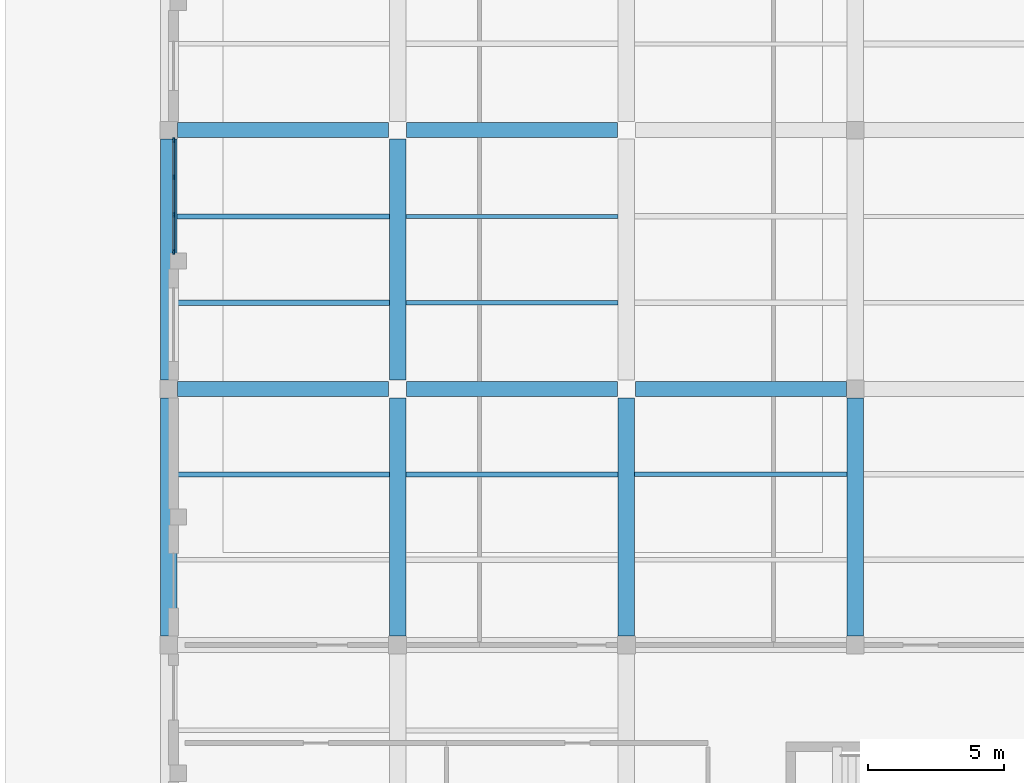
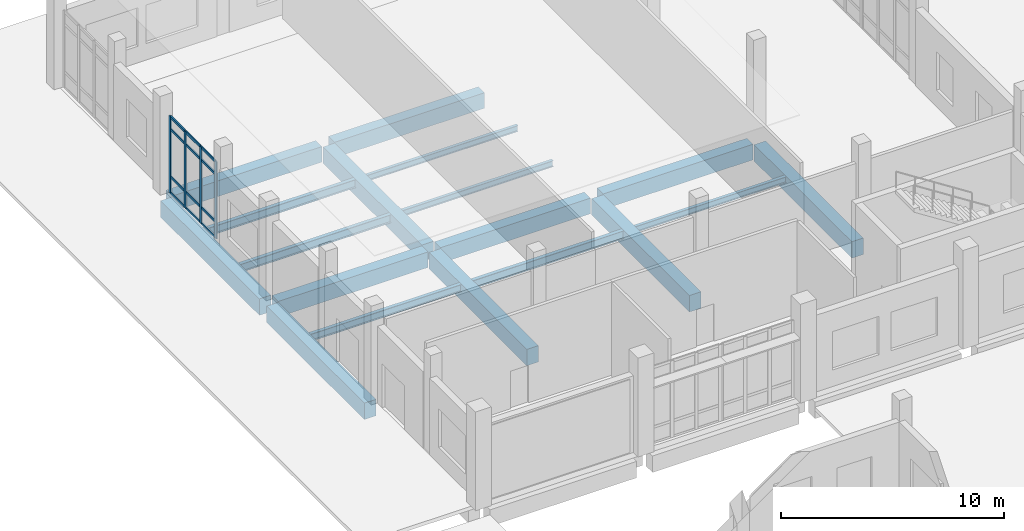
# One storey, part 22 of 79: 18 beams, 16 members, 1 element without a shape of its own.
"""IFC4 building model written with IfcOpenShell, lengths in metres."""

from ifc_helpers import new_model, si_unit, direction, frame, origin, origin_2d, place, context, subcontext, project, spatial, rectangle, i_section, extrude, material, layer, layer_set, material_profile, profile_set, type_object, element, aggregate, save


model = new_model("IFC4")

# Units and contexts
model_context = context("Model", 3, precision=1e-05, world=origin(), true_north=direction((0.0, 1.0)))
body_context = subcontext(model_context, "Body", "Model", "MODEL_VIEW")
ifc_project = project(units=[si_unit("LENGTHUNIT", "METRE"), si_unit("AREAUNIT", "SQUARE_METRE"), si_unit("VOLUMEUNIT", "CUBIC_METRE"), si_unit("PLANEANGLEUNIT", "RADIAN"), si_unit("MASSUNIT", "GRAM", prefix="KILO")], contexts=[model_context])

# Site, building, storey
site_placement = place(None, origin())
site = spatial("IfcSite", under=ifc_project, at=site_placement, CompositionType="ELEMENT")
building_placement = place(site_placement, origin())
building = spatial("IfcBuilding", under=site, at=building_placement, Name="Kelarvand Opera House", CompositionType="ELEMENT")
storey_placement = place(building_placement, origin())
storey = spatial("IfcBuildingStorey", under=building, at=storey_placement, Name="L00", CompositionType="ELEMENT", Elevation=0.0)

# Curtain wall, members
ifc_material_1 = material(Name="Thermally broken aluminium and low-E glazing", Category="aluminium")
ifc_layer = layer(ifc_material_1, 0.179931640625, Name="Thermally broken aluminium and low-E glazing", Category="aluminium")
ifc_layer_set = layer_set([ifc_layer], Name="Thermally broken aluminium and low-E glazing")
curtain_wall_type = type_object("IfcCurtainWallType", Name="Unitised Low-E Curtain Wall 4155x4200 Mod 1350 CWF-13", PredefinedType="USERDEFINED", material=ifc_layer_set)
curtain_wall_placement = place(storey_placement, origin())
curtain_wall = element("IfcCurtainWall", 1, at=curtain_wall_placement, inside=storey, type_object=curtain_wall_type, Name="V3 L00 Curtain Wall CWF-13 (43)", ObjectType="UNITISED CURTAIN WALL", PredefinedType="USERDEFINED")
ifc_material_2 = material(Name="Thermally broken anodised aluminium", Category="aluminium")
ifc_material_profile_1 = material_profile(ifc_material_2, rectangle(XDim=0.06494140625, YDim=0.179931640625, at=origin_2d()), Name="ALU MULLION 65x180", Category="aluminium")
ifc_profile_set_1 = profile_set([ifc_material_profile_1], Name="Thermally broken anodised aluminium")
member_type_1 = type_object("IfcMemberType", Name="Curtain Wall Mullion 65x180 Aluminium", PredefinedType="MULLION", material=ifc_profile_set_1)
member_1_placement = place(storey_placement, frame((9.179931640625, 111.04248046875, 0.0), z_axis=(0.0, 0.0, 1.0), x_axis=(-1.0, 0.0, 0.0)))
member_1 = element("IfcMember", 2, at=member_1_placement, type_object=member_type_1, Name="CWF-13 mullion 1", PredefinedType="MULLION", context=body_context, shape_type="SweptSolid", body=[
    extrude(rectangle(XDim=0.06494140625, YDim=0.179931640625, at=origin_2d()), origin(), (0.0, 0.0, 1.0), 4.199951171875),
])
member_2_placement = place(storey_placement, frame((9.179931640625, 112.39501953125, 0.0), z_axis=(0.0, 0.0, 1.0), x_axis=(-1.0, 0.0, 0.0)))
member_2 = element("IfcMember", 3, at=member_2_placement, type_object=member_type_1, Name="CWF-13 mullion 2", PredefinedType="MULLION", context=body_context, shape_type="SweptSolid", body=[
    extrude(rectangle(XDim=0.06494140625, YDim=0.179931640625, at=origin_2d()), origin(), (0.0, 0.0, 1.0), 4.199951171875),
])
member_3_placement = place(storey_placement, frame((9.179931640625, 113.780029296875, 0.0), z_axis=(0.0, 0.0, 1.0), x_axis=(-1.0, 0.0, 0.0)))
member_3 = element("IfcMember", 4, at=member_3_placement, type_object=member_type_1, Name="CWF-13 mullion 3", PredefinedType="MULLION", context=body_context, shape_type="SweptSolid", body=[
    extrude(rectangle(XDim=0.06494140625, YDim=0.179931640625, at=origin_2d()), origin(), (0.0, 0.0, 1.0), 4.199951171875),
])
member_4_placement = place(storey_placement, frame((9.179931640625, 115.132568359375, 0.0), z_axis=(0.0, 0.0, 1.0), x_axis=(-1.0, 0.0, 0.0)))
member_4 = element("IfcMember", 5, at=member_4_placement, type_object=member_type_1, Name="CWF-13 mullion 4", PredefinedType="MULLION", context=body_context, shape_type="SweptSolid", body=[
    extrude(rectangle(XDim=0.06494140625, YDim=0.179931640625, at=origin_2d()), origin(), (0.0, 0.0, 1.0), 4.199951171875),
])
ifc_material_profile_2 = material_profile(ifc_material_2, rectangle(XDim=0.06494140625, YDim=0.139892578125, at=origin_2d()), Name="ALU TRANSOM 65x140", Category="aluminium")
ifc_profile_set_2 = profile_set([ifc_material_profile_2], Name="Thermally broken anodised aluminium")
member_type_2 = type_object("IfcMemberType", Name="Curtain Wall Transom 65x140 Aluminium", PredefinedType="USERDEFINED", material=ifc_profile_set_2)
member_5_placement = place(storey_placement, frame((9.179931640625, 111.074951171875, 0.032470703125), z_axis=(0.0, 1.0, 0.0), x_axis=(-1.0, 0.0, 0.0)))
member_5 = element("IfcMember", 6, at=member_5_placement, type_object=member_type_2, Name="CWF-13 transom 1.1", ObjectType="TRANSOM", PredefinedType="USERDEFINED", context=body_context, shape_type="SweptSolid", body=[
    extrude(rectangle(XDim=0.06494140625, YDim=0.139892578125, at=origin_2d()), origin(), (0.0, 0.0, 1.0), 1.28759765625),
])
member_6_placement = place(storey_placement, frame((9.179931640625, 111.074951171875, 0.89990234375), z_axis=(0.0, 1.0, 0.0), x_axis=(-1.0, 0.0, 0.0)))
member_6 = element("IfcMember", 7, at=member_6_placement, type_object=member_type_2, Name="CWF-13 transom 1.2", ObjectType="TRANSOM", PredefinedType="USERDEFINED", context=body_context, shape_type="SweptSolid", body=[
    extrude(rectangle(XDim=0.06494140625, YDim=0.139892578125, at=origin_2d()), origin(), (0.0, 0.0, 1.0), 1.28759765625),
])
member_7_placement = place(storey_placement, frame((9.179931640625, 111.074951171875, 3.5), z_axis=(0.0, 1.0, 0.0), x_axis=(-1.0, 0.0, 0.0)))
member_7 = element("IfcMember", 8, at=member_7_placement, type_object=member_type_2, Name="CWF-13 transom 1.3", ObjectType="TRANSOM", PredefinedType="USERDEFINED", context=body_context, shape_type="SweptSolid", body=[
    extrude(rectangle(XDim=0.06494140625, YDim=0.139892578125, at=origin_2d()), origin(), (0.0, 0.0, 1.0), 1.28759765625),
])
member_8_placement = place(storey_placement, frame((9.179931640625, 111.074951171875, 4.16748046875), z_axis=(0.0, 1.0, 0.0), x_axis=(-1.0, 0.0, 0.0)))
member_8 = element("IfcMember", 9, at=member_8_placement, type_object=member_type_2, Name="CWF-13 transom 1.4", ObjectType="TRANSOM", PredefinedType="USERDEFINED", context=body_context, shape_type="SweptSolid", body=[
    extrude(rectangle(XDim=0.06494140625, YDim=0.139892578125, at=origin_2d()), origin(), (0.0, 0.0, 1.0), 1.28759765625),
])
member_9_placement = place(storey_placement, frame((9.179931640625, 112.427490234375, 0.032470703125), z_axis=(0.0, 1.0, 0.0), x_axis=(-1.0, 0.0, 0.0)))
member_9 = element("IfcMember", 10, at=member_9_placement, type_object=member_type_2, Name="CWF-13 transom 2.1", ObjectType="TRANSOM", PredefinedType="USERDEFINED", context=body_context, shape_type="SweptSolid", body=[
    extrude(rectangle(XDim=0.06494140625, YDim=0.139892578125, at=origin_2d()), origin(), (0.0, 0.0, 1.0), 1.320068359375),
])
member_10_placement = place(storey_placement, frame((9.179931640625, 112.427490234375, 0.89990234375), z_axis=(0.0, 1.0, 0.0), x_axis=(-1.0, 0.0, 0.0)))
member_10 = element("IfcMember", 11, at=member_10_placement, type_object=member_type_2, Name="CWF-13 transom 2.2", ObjectType="TRANSOM", PredefinedType="USERDEFINED", context=body_context, shape_type="SweptSolid", body=[
    extrude(rectangle(XDim=0.06494140625, YDim=0.139892578125, at=origin_2d()), origin(), (0.0, 0.0, 1.0), 1.320068359375),
])
member_11_placement = place(storey_placement, frame((9.179931640625, 112.427490234375, 3.5), z_axis=(0.0, 1.0, 0.0), x_axis=(-1.0, 0.0, 0.0)))
member_11 = element("IfcMember", 12, at=member_11_placement, type_object=member_type_2, Name="CWF-13 transom 2.3", ObjectType="TRANSOM", PredefinedType="USERDEFINED", context=body_context, shape_type="SweptSolid", body=[
    extrude(rectangle(XDim=0.06494140625, YDim=0.139892578125, at=origin_2d()), origin(), (0.0, 0.0, 1.0), 1.320068359375),
])
member_12_placement = place(storey_placement, frame((9.179931640625, 112.427490234375, 4.16748046875), z_axis=(0.0, 1.0, 0.0), x_axis=(-1.0, 0.0, 0.0)))
member_12 = element("IfcMember", 13, at=member_12_placement, type_object=member_type_2, Name="CWF-13 transom 2.4", ObjectType="TRANSOM", PredefinedType="USERDEFINED", context=body_context, shape_type="SweptSolid", body=[
    extrude(rectangle(XDim=0.06494140625, YDim=0.139892578125, at=origin_2d()), origin(), (0.0, 0.0, 1.0), 1.320068359375),
])
member_13_placement = place(storey_placement, frame((9.179931640625, 113.8125, 0.032470703125), z_axis=(0.0, 1.0, 0.0), x_axis=(-1.0, 0.0, 0.0)))
member_13 = element("IfcMember", 14, at=member_13_placement, type_object=member_type_2, Name="CWF-13 transom 3.1", ObjectType="TRANSOM", PredefinedType="USERDEFINED", context=body_context, shape_type="SweptSolid", body=[
    extrude(rectangle(XDim=0.06494140625, YDim=0.139892578125, at=origin_2d()), origin(), (0.0, 0.0, 1.0), 1.28759765625),
])
member_14_placement = place(storey_placement, frame((9.179931640625, 113.8125, 0.89990234375), z_axis=(0.0, 1.0, 0.0), x_axis=(-1.0, 0.0, 0.0)))
member_14 = element("IfcMember", 15, at=member_14_placement, type_object=member_type_2, Name="CWF-13 transom 3.2", ObjectType="TRANSOM", PredefinedType="USERDEFINED", context=body_context, shape_type="SweptSolid", body=[
    extrude(rectangle(XDim=0.06494140625, YDim=0.139892578125, at=origin_2d()), origin(), (0.0, 0.0, 1.0), 1.28759765625),
])
member_15_placement = place(storey_placement, frame((9.179931640625, 113.8125, 3.5), z_axis=(0.0, 1.0, 0.0), x_axis=(-1.0, 0.0, 0.0)))
member_15 = element("IfcMember", 16, at=member_15_placement, type_object=member_type_2, Name="CWF-13 transom 3.3", ObjectType="TRANSOM", PredefinedType="USERDEFINED", context=body_context, shape_type="SweptSolid", body=[
    extrude(rectangle(XDim=0.06494140625, YDim=0.139892578125, at=origin_2d()), origin(), (0.0, 0.0, 1.0), 1.28759765625),
])
member_16_placement = place(storey_placement, frame((9.179931640625, 113.8125, 4.16748046875), z_axis=(0.0, 1.0, 0.0), x_axis=(-1.0, 0.0, 0.0)))
member_16 = element("IfcMember", 17, at=member_16_placement, type_object=member_type_2, Name="CWF-13 transom 3.4", ObjectType="TRANSOM", PredefinedType="USERDEFINED", context=body_context, shape_type="SweptSolid", body=[
    extrude(rectangle(XDim=0.06494140625, YDim=0.139892578125, at=origin_2d()), origin(), (0.0, 0.0, 1.0), 1.28759765625),
])
aggregate(curtain_wall, [member_1, member_2, member_3, member_4, member_5, member_6, member_7, member_8, member_9, member_10, member_11, member_12, member_13, member_14, member_15, member_16])

# Beams
ifc_material_3 = material(Name="Concrete C40/50", Category="concrete")
ifc_material_profile_3 = material_profile(ifc_material_3, rectangle(XDim=0.550048828125, YDim=0.85009765625, at=origin_2d()), Name="RC 550x850", Category="concrete")
ifc_profile_set_3 = profile_set([ifc_material_profile_3], Name="Concrete C40/50")
beam_type_1 = type_object("IfcBeamType", Name="Structural Beam RC 550x850 BM-RC550x850", PredefinedType="BEAM", material=ifc_profile_set_3)
for number, where, z_axis, x_axis, name in (
    (18, (9.324951171875, 106.0, -0.72509765625), (1.0, 0.0, 0.0), (0.0, 1.0, 0.0), "V3 L00 Beam BM-RC550x850"),
    (19, (17.72509765625, 106.0, -0.72509765625), (1.0, 0.0, 0.0), (0.0, 1.0, 0.0), "V3 L00 Beam BM-RC550x850"),
    (20, (26.125, 106.0, -0.72509765625), (1.0, 0.0, 0.0), (0.0, 1.0, 0.0), "V3 L00 Beam BM-RC550x850"),
    (21, (9.324951171875, 115.5, -0.72509765625), (1.0, 0.0, 0.0), (0.0, 1.0, 0.0), "V3 L00 Beam BM-RC550x850"),
    (22, (17.72509765625, 115.5, -0.72509765625), (1.0, 0.0, 0.0), (0.0, 1.0, 0.0), "V3 L00 Beam BM-RC550x850"),
):
    element("IfcBeam", number, at=place(storey_placement, frame(where, z_axis=z_axis, x_axis=x_axis)), inside=storey, type_object=beam_type_1, Name=name, PredefinedType="BEAM", context=body_context, shape_type="SweptSolid", body=[
        extrude(rectangle(XDim=0.550048828125, YDim=0.85009765625, at=origin_2d()), origin(), (0.0, 0.0, 1.0), 7.75),
    ])
ifc_material_profile_4 = material_profile(ifc_material_3, rectangle(XDim=0.60009765625, YDim=0.89990234375, at=origin_2d()), Name="RC 600x900", Category="concrete")
ifc_profile_set_4 = profile_set([ifc_material_profile_4], Name="Concrete C40/50")
beam_type_2 = type_object("IfcBeamType", Name="Structural Beam RC 600x900 BM-RC600x900", PredefinedType="BEAM", material=ifc_profile_set_4)
beam_1_placement = place(storey_placement, frame((17.39990234375, 96.925048828125, -0.75), z_axis=(0.0, 1.0, 0.0), x_axis=(-1.0, 0.0, 0.0)))
element("IfcBeam", 23, at=beam_1_placement, inside=storey, type_object=beam_type_2, Name="V3 L00 Beam BM-RC600x900", PredefinedType="BEAM", context=body_context, shape_type="SweptSolid", body=[
    extrude(rectangle(XDim=0.60009765625, YDim=0.89990234375, at=origin_2d()), origin(), (0.0, 0.0, 1.0), 8.75),
])
beam_2_placement = place(storey_placement, frame((17.39990234375, 106.324951171875, -0.75), z_axis=(0.0, 1.0, 0.0), x_axis=(-1.0, 0.0, 0.0)))
element("IfcBeam", 24, at=beam_2_placement, inside=storey, type_object=beam_type_2, Name="V3 L00 Beam BM-RC600x900", PredefinedType="BEAM", context=body_context, shape_type="SweptSolid", body=[
    extrude(rectangle(XDim=0.60009765625, YDim=0.89990234375, at=origin_2d()), origin(), (0.0, 0.0, 1.0), 8.85009765625),
])
for number, where, z_axis, x_axis, name in (
    (25, (25.800048828125, 96.925048828125, -0.75), (0.0, 1.0, 0.0), (-1.0, 0.0, 0.0), "V3 L00 Beam BM-RC600x900"),
    (26, (34.199951171875, 96.925048828125, -0.75), (0.0, 1.0, 0.0), (-1.0, 0.0, 0.0), "V3 L00 Beam BM-RC600x900"),
):
    element("IfcBeam", number, at=place(storey_placement, frame(where, z_axis=z_axis, x_axis=x_axis)), inside=storey, type_object=beam_type_2, Name=name, PredefinedType="BEAM", context=body_context, shape_type="SweptSolid", body=[
        extrude(rectangle(XDim=0.60009765625, YDim=0.89990234375, at=origin_2d()), origin(), (0.0, 0.0, 1.0), 8.75),
    ])
ifc_material_4 = material(Name="Steel S355", Category="steel")
ifc_material_profile_5 = material_profile(ifc_material_4, i_section(OverallWidth=0.159912109375, OverallDepth=0.330078125, WebThickness=0.007568359375, FlangeThickness=0.011474609375, at=origin_2d()), Name="IPE 330", Category="steel")
ifc_profile_set_5 = profile_set([ifc_material_profile_5], Name="Steel S355")
beam_type_3 = type_object("IfcBeamType", Name="Structural Joist IPE 330 JS-IPE330", PredefinedType="JOIST", material=ifc_profile_set_5)
for number, where, z_axis, x_axis, name in (
    (27, (17.699951171875, 109.166748046875, -0.465087890625), (1.0, 0.0, 0.0), (0.0, 1.0, 0.0), "V3 L00 Beam JS-IPE330"),
    (28, (17.699951171875, 112.333251953125, -0.465087890625), (1.0, 0.0, 0.0), (0.0, 1.0, 0.0), "V3 L00 Beam JS-IPE330"),
):
    element("IfcBeam", number, at=place(storey_placement, frame(where, z_axis=z_axis, x_axis=x_axis)), inside=storey, type_object=beam_type_3, Name=name, PredefinedType="JOIST", context=body_context, shape_type="SweptSolid", body=[
        extrude(i_section(OverallWidth=0.159912109375, OverallDepth=0.330078125, WebThickness=0.007568359375, FlangeThickness=0.011474609375, at=origin_2d()), origin(), (0.0, 0.0, 1.0), 7.800048828125),
    ])
beam_3_placement = place(storey_placement, frame((26.10009765625, 102.86669921875, -0.465087890625), z_axis=(1.0, 0.0, 0.0), x_axis=(0.0, 1.0, 0.0)))
element("IfcBeam", 29, at=beam_3_placement, inside=storey, type_object=beam_type_3, Name="V3 L00 Beam JS-IPE330", PredefinedType="JOIST", context=body_context, shape_type="SweptSolid", body=[
    extrude(i_section(OverallWidth=0.159912109375, OverallDepth=0.330078125, WebThickness=0.007568359375, FlangeThickness=0.011474609375, at=origin_2d()), origin(), (0.0, 0.0, 1.0), 7.7998046875),
])
ifc_material_profile_6 = material_profile(ifc_material_4, i_section(OverallWidth=0.179931640625, OverallDepth=0.39990234375, WebThickness=0.008544921875, FlangeThickness=0.013427734375, at=origin_2d()), Name="IPE 400", Category="steel")
ifc_profile_set_6 = profile_set([ifc_material_profile_6], Name="Steel S355")
beam_type_4 = type_object("IfcBeamType", Name="Structural Joist IPE 400 JS-IPE400", PredefinedType="JOIST", material=ifc_profile_set_6)
beam_4_placement = place(storey_placement, frame((9.300048828125, 102.86669921875, -0.5), z_axis=(1.0, 0.0, 0.0), x_axis=(0.0, 1.0, 0.0)))
element("IfcBeam", 30, at=beam_4_placement, inside=storey, type_object=beam_type_4, Name="V3 L00 Beam JS-IPE400", PredefinedType="JOIST", context=body_context, shape_type="SweptSolid", body=[
    extrude(i_section(OverallWidth=0.179931640625, OverallDepth=0.39990234375, WebThickness=0.008544921875, FlangeThickness=0.013427734375, at=origin_2d()), origin(), (0.0, 0.0, 1.0), 7.800048828125),
])
ifc_material_profile_7 = material_profile(ifc_material_4, i_section(OverallWidth=0.18994140625, OverallDepth=0.449951171875, WebThickness=0.009521484375, FlangeThickness=0.0146484375, at=origin_2d()), Name="IPE 450", Category="steel")
ifc_profile_set_7 = profile_set([ifc_material_profile_7], Name="Steel S355")
beam_type_5 = type_object("IfcBeamType", Name="Structural Joist IPE 450 JS-IPE450", PredefinedType="JOIST", material=ifc_profile_set_7)
for number, where, z_axis, x_axis, name in (
    (31, (9.300048828125, 109.166748046875, -0.52490234375), (1.0, 0.0, 0.0), (0.0, 1.0, 0.0), "V3 L00 Beam JS-IPE450"),
    (32, (9.300048828125, 112.333251953125, -0.52490234375), (1.0, 0.0, 0.0), (0.0, 1.0, 0.0), "V3 L00 Beam JS-IPE450"),
    (33, (17.699951171875, 102.86669921875, -0.52490234375), (1.0, 0.0, 0.0), (0.0, 1.0, 0.0), "V3 L00 Beam JS-IPE450"),
):
    element("IfcBeam", number, at=place(storey_placement, frame(where, z_axis=z_axis, x_axis=x_axis)), inside=storey, type_object=beam_type_5, Name=name, PredefinedType="JOIST", context=body_context, shape_type="SweptSolid", body=[
        extrude(i_section(OverallWidth=0.18994140625, OverallDepth=0.449951171875, WebThickness=0.009521484375, FlangeThickness=0.0146484375, at=origin_2d()), origin(), (0.0, 0.0, 1.0), 7.800048828125),
    ])
ifc_material_profile_8 = material_profile(ifc_material_3, rectangle(XDim=0.60009765625, YDim=0.89990234375, at=origin_2d()), Name="RC 600x900", Category="concrete")
ifc_profile_set_8 = profile_set([ifc_material_profile_8], Name="Concrete C40/50")
beam_type_6 = type_object("IfcBeamType", Name="Structural Spandrel RC 600x900 SP-RC600x900E", PredefinedType="SPANDREL", material=ifc_profile_set_8)
beam_5_placement = place(storey_placement, frame((9.0, 96.925048828125, -0.75), z_axis=(0.0, 1.0, 0.0), x_axis=(-1.0, 0.0, 0.0)))
element("IfcBeam", 34, at=beam_5_placement, inside=storey, type_object=beam_type_6, Name="V3 L00 Beam SP-RC600x900E", PredefinedType="SPANDREL", context=body_context, shape_type="SweptSolid", body=[
    extrude(rectangle(XDim=0.60009765625, YDim=0.89990234375, at=origin_2d()), origin(), (0.0, 0.0, 1.0), 8.75),
])
beam_6_placement = place(storey_placement, frame((9.0, 106.324951171875, -0.75), z_axis=(0.0, 1.0, 0.0), x_axis=(-1.0, 0.0, 0.0)))
element("IfcBeam", 35, at=beam_6_placement, inside=storey, type_object=beam_type_6, Name="V3 L00 Beam SP-RC600x900E", PredefinedType="SPANDREL", context=body_context, shape_type="SweptSolid", body=[
    extrude(rectangle(XDim=0.60009765625, YDim=0.89990234375, at=origin_2d()), origin(), (0.0, 0.0, 1.0), 8.85009765625),
])

save(model, "model.ifc")
